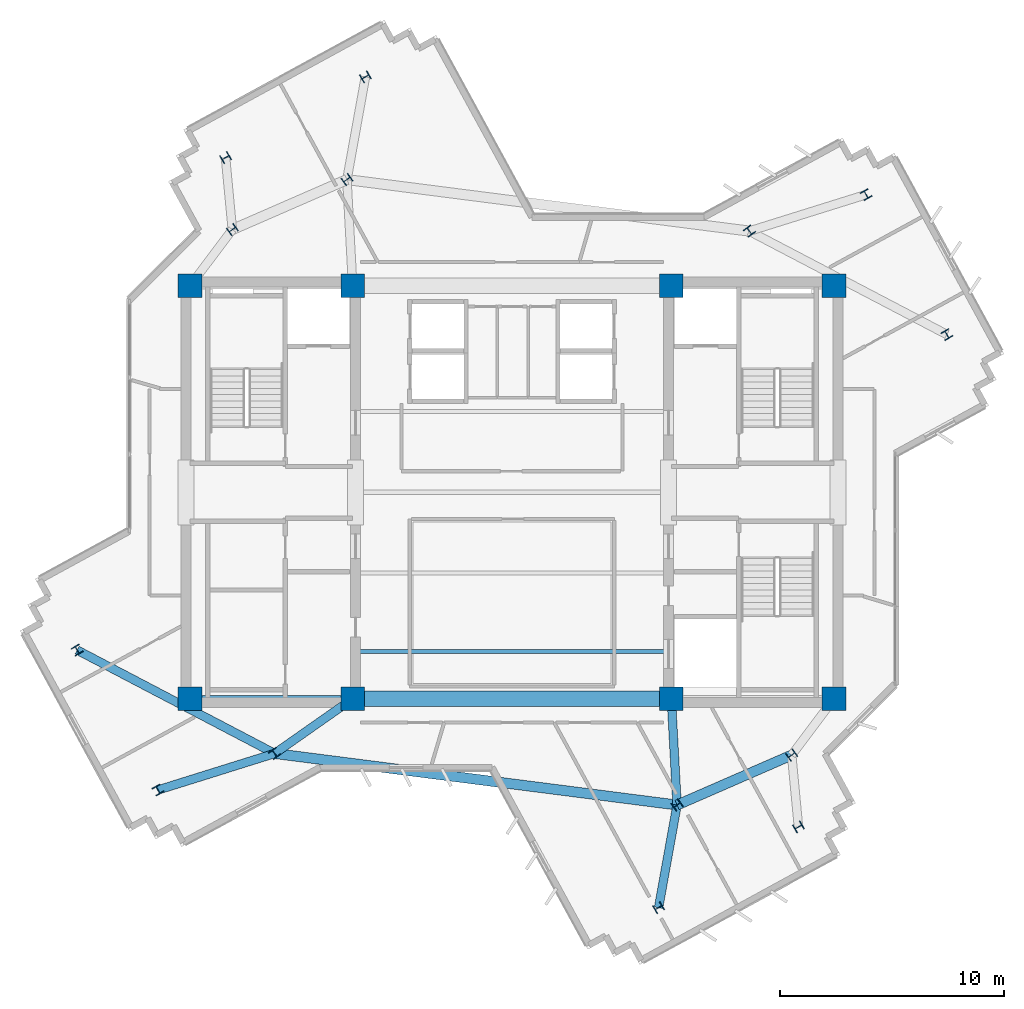
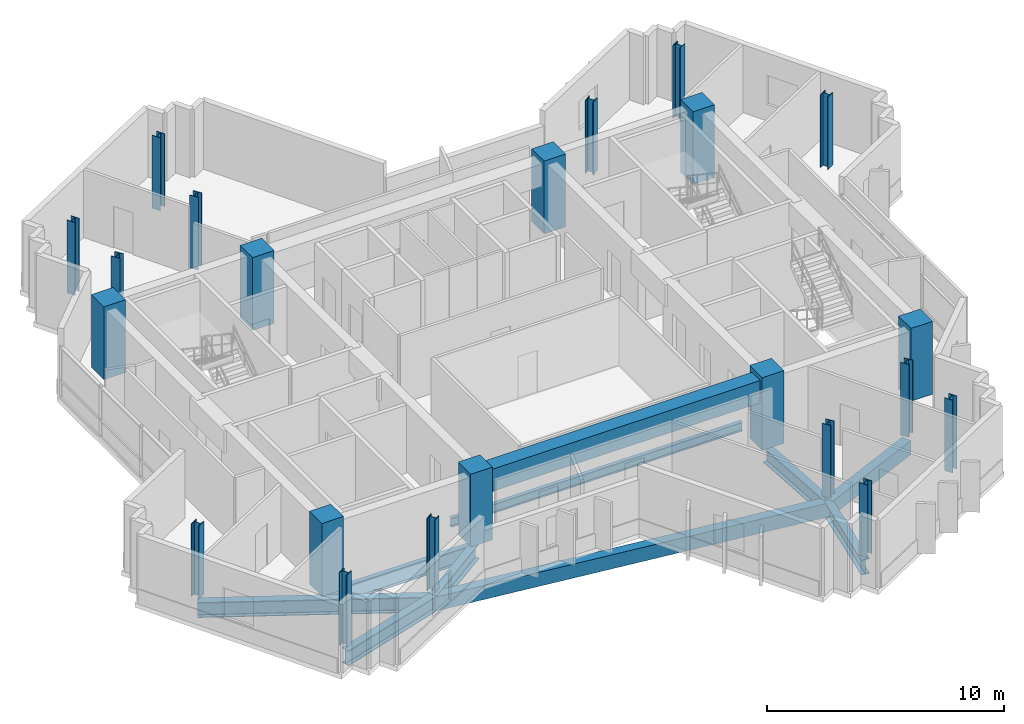
# One storey, part 1 of 13: 22 columns, 10 beams.
"""IFC4 building model written with IfcOpenShell, lengths in metres."""

from ifc_helpers import new_model, si_unit, direction, frame, origin, origin_2d, place, context, subcontext, project, spatial, rectangle, i_section, extrude, source, transform, mapped, material, material_profile, profile_set, type_object, element, save


model = new_model("IFC4")

# Units and contexts
model_context = context("Model", 3, precision=1e-05, world=origin(), true_north=direction((0.0, 1.0)))
body_context = subcontext(model_context, "Body", "Model", "MODEL_VIEW")
ifc_project = project(units=[si_unit("LENGTHUNIT", "METRE"), si_unit("AREAUNIT", "SQUARE_METRE"), si_unit("VOLUMEUNIT", "CUBIC_METRE"), si_unit("PLANEANGLEUNIT", "RADIAN"), si_unit("MASSUNIT", "GRAM", prefix="KILO")], contexts=[model_context])

# Site, building, storey
site_placement = place(None, origin())
site = spatial("IfcSite", under=ifc_project, at=site_placement, CompositionType="ELEMENT")
building_placement = place(site_placement, origin())
building = spatial("IfcBuilding", under=site, at=building_placement, Name="Zahravan Cultural Tower", CompositionType="ELEMENT")
storey_placement = place(building_placement, frame((0.0, 0.0, 254.10009765625)))
storey = spatial("IfcBuildingStorey", under=building, at=storey_placement, Name="L60", CompositionType="ELEMENT", Elevation=254.10009765625)

# Columns
ifc_material_1 = material(Name="Concrete C50/60", Category="concrete")
ifc_material_profile_1 = material_profile(ifc_material_1, rectangle(XDim=1.050048828125, YDim=1.050048828125, at=origin_2d()), Name="RC1050X1050")
ifc_profile_set_1 = profile_set([ifc_material_profile_1], Name="Concrete C50/60")
column_type_1 = type_object("IfcColumnType", Name="COL-RC1050", PredefinedType="COLUMN", material=ifc_profile_set_1)
shared_shape_1 = source(origin(), body_context, "Body", "SweptSolid", [
    extrude(rectangle(XDim=1.050048828125, YDim=1.050048828125, at=origin_2d()), origin(), (0.0, 0.0, 1.0), 3.75),
])
for number, where, z_axis, x_axis, name in (
    (1, (21.64990234375, 17.800048828125, 0.0), (0.0, 0.0, 1.0), (1.0, 0.0, 0.0), "L60 Column CC-W1"),
    (2, (28.89990234375, 17.800048828125, 0.0), (0.0, 0.0, 1.0), (1.0, 0.0, 0.0), "L60 Column CC-W2"),
    (3, (21.64990234375, 36.199951171875, 0.0), (0.0, 0.0, 1.0), (1.0, 0.0, 0.0), "L60 Column CC-W3"),
    (4, (28.89990234375, 36.199951171875, 0.0), (0.0, 0.0, 1.0), (1.0, 0.0, 0.0), "L60 Column CC-W4"),
    (5, (43.10009765625, 17.800048828125, 0.0), (0.0, 0.0, 1.0), (1.0, 0.0, 0.0), "L60 Column CC-E1"),
    (6, (50.35009765625, 17.800048828125, 0.0), (0.0, 0.0, 1.0), (1.0, 0.0, 0.0), "L60 Column CC-E2"),
    (7, (43.10009765625, 36.199951171875, 0.0), (0.0, 0.0, 1.0), (1.0, 0.0, 0.0), "L60 Column CC-E3"),
    (8, (50.35009765625, 36.199951171875, 0.0), (0.0, 0.0, 1.0), (1.0, 0.0, 0.0), "L60 Column CC-E4"),
):
    element("IfcColumn", number, at=place(storey_placement, frame(where, z_axis=z_axis, x_axis=x_axis)), inside=storey, type_object=column_type_1, Name=name, PredefinedType="COLUMN", context=body_context, shape_type="MappedRepresentation", body=[
        mapped(shared_shape_1, transform((0.0, 0.0, 0.0), x_axis=(1.0, 0.0, 0.0), y_axis=(0.0, 1.0, 0.0), z_axis=(0.0, 0.0, 1.0), scale=1.0)),
    ])
ifc_material_2 = material(Name="Steel ASTM A992 Grade 50", Category="steel")
ifc_material_profile_2 = material_profile(ifc_material_2, i_section(OverallWidth=0.39892578125, OverallDepth=0.385986328125, WebThickness=0.02099609375, FlangeThickness=0.033203125, FilletRadius=0.01806640625, at=origin_2d()), Name="W14X176")
ifc_profile_set_2 = profile_set([ifc_material_profile_2], Name="Steel ASTM A992 Grade 50")
column_type_2 = type_object("IfcColumnType", Name="COL-W14X176", PredefinedType="COLUMN", material=ifc_profile_set_2)
shared_shape_2 = source(origin(), body_context, "Body", "SweptSolid", [
    extrude(i_section(OverallWidth=0.39892578125, OverallDepth=0.385986328125, WebThickness=0.02099609375, FlangeThickness=0.033203125, FilletRadius=0.01806640625, at=origin_2d()), origin(), (0.0, 0.0, 1.0), 3.75),
])
for number, where, z_axis, x_axis, name in (
    (9, (46.577880859375, 38.640625, 0.0), (0.0, 0.0, 1.0), (0.809016994375, 0.587785252292, 0.0), "L60 Column Z3C-E2"),
    (10, (28.642578125, 40.937255859375, 0.0), (0.0, 0.0, 1.0), (-0.587785252292, 0.809016994375, 0.0), "L60 Column Z3C-N1"),
    (11, (23.536376953125, 38.710693359375, 0.0), (0.0, 0.0, 1.0), (-0.587785252292, 0.809016994375, 0.0), "L60 Column Z3C-N2"),
    (12, (25.422119140625, 15.359375, 0.0), (0.0, 0.0, 1.0), (0.809016994375, 0.587785252292, 0.0), "L60 Column Z3C-W2"),
    (13, (43.357421875, 13.062744140625, 0.0), (0.0, 0.0, 1.0), (-0.587785252292, 0.809016994375, 0.0), "L60 Column Z3C-S1"),
    (14, (48.463623046875, 15.289306640625, 0.0), (0.0, 0.0, 1.0), (-0.587785252292, 0.809016994375, 0.0), "L60 Column Z3C-S2"),
    (15, (55.38037109375, 34.0322265625, 0.0), (0.0, 0.0, 1.0), (0.866025403784, 0.5, 0.0), "L60 Column Z3T-E1"),
    (16, (51.7802734375, 40.267578125, 0.0), (0.0, 0.0, 1.0), (0.866025403784, 0.5, 0.0), "L60 Column Z3T-E2"),
    (17, (29.4677734375, 45.514404296875, 0.0), (0.0, 0.0, 1.0), (-0.5, 0.866025403784, 0.0), "L60 Column Z3T-N1"),
    (18, (23.232421875, 41.914306640625, 0.0), (0.0, 0.0, 1.0), (-0.5, 0.866025403784, 0.0), "L60 Column Z3T-N2"),
    (19, (16.61962890625, 19.9677734375, 0.0), (0.0, 0.0, 1.0), (0.866025403784, 0.5, 0.0), "L60 Column Z3T-W1"),
    (20, (20.2197265625, 13.732421875, 0.0), (0.0, 0.0, 1.0), (0.866025403784, 0.5, 0.0), "L60 Column Z3T-W2"),
    (21, (42.5322265625, 8.485595703125, 0.0), (0.0, 0.0, 1.0), (-0.5, 0.866025403784, 0.0), "L60 Column Z3T-S1"),
    (22, (48.767578125, 12.085693359375, 0.0), (0.0, 0.0, 1.0), (-0.5, 0.866025403784, 0.0), "L60 Column Z3T-S2"),
):
    element("IfcColumn", number, at=place(storey_placement, frame(where, z_axis=z_axis, x_axis=x_axis)), inside=storey, type_object=column_type_2, Name=name, PredefinedType="COLUMN", context=body_context, shape_type="MappedRepresentation", body=[
        mapped(shared_shape_2, transform((0.0, 0.0, 0.0), x_axis=(1.0, 0.0, 0.0), y_axis=(0.0, 1.0, 0.0), z_axis=(0.0, 0.0, 1.0), scale=1.0)),
    ])

# Beams
ifc_material_profile_3 = material_profile(ifc_material_1, rectangle(XDim=0.699951171875, YDim=1.14990234375, at=origin_2d()), Name="RC700X1150")
ifc_profile_set_3 = profile_set([ifc_material_profile_3], Name="Concrete C50/60")
beam_type_1 = type_object("IfcBeamType", Name="BM-LN-RC700X1150", PredefinedType="LINTEL", material=ifc_profile_set_3)
shared_shape_3 = source(origin(), body_context, "Body", "SweptSolid", [
    extrude(rectangle(XDim=0.699951171875, YDim=1.14990234375, at=origin_2d()), origin(), (0.0, 0.0, 1.0), 14.2001953125),
])
beam_1_placement = place(storey_placement, frame((28.89990234375, 17.800048828125, 2.9248046875), z_axis=(1.0, 0.0, 0.0), x_axis=(0.0, 1.0, 0.0)))
element("IfcBeam", 23, at=beam_1_placement, inside=storey, type_object=beam_type_1, Name="L60 Beam LN-L60-S", PredefinedType="LINTEL", context=body_context, shape_type="MappedRepresentation", body=[
    mapped(shared_shape_3, transform((0.0, 0.0, 0.0), x_axis=(1.0, 0.0, 0.0), y_axis=(0.0, 1.0, 0.0), z_axis=(0.0, 0.0, 1.0), scale=1.0)),
])
ifc_material_profile_4 = material_profile(ifc_material_2, i_section(OverallWidth=0.26611328125, OverallDepth=0.780029296875, WebThickness=0.0166015625, FlangeThickness=0.030029296875, FilletRadius=0.01904296875, at=origin_2d()), Name="W30X148")
ifc_profile_set_4 = profile_set([ifc_material_profile_4], Name="Steel ASTM A992 Grade 50")
beam_type_2 = type_object("IfcBeamType", Name="BM-G-W30X148", PredefinedType="BEAM", material=ifc_profile_set_4)
shared_shape_4 = source(origin(), body_context, "Body", "SweptSolid", [
    extrude(i_section(OverallWidth=0.26611328125, OverallDepth=0.780029296875, WebThickness=0.0166015625, FlangeThickness=0.030029296875, FilletRadius=0.01904296875, at=origin_2d()), origin(), (0.0, 0.0, 1.0), 7.25),
])
beam_2_placement = place(storey_placement, frame((21.64990234375, 17.800048828125, -0.64013671875), z_axis=(1.0, 0.0, 0.0), x_axis=(0.0, 1.0, 0.0)))
element("IfcBeam", 24, at=beam_2_placement, inside=storey, type_object=beam_type_2, Name="L60 Beam BG-L60-01", PredefinedType="BEAM", context=body_context, shape_type="MappedRepresentation", body=[
    mapped(shared_shape_4, transform((0.0, 0.0, 0.0), x_axis=(1.0, 0.0, 0.0), y_axis=(0.0, 1.0, 0.0), z_axis=(0.0, 0.0, 1.0), scale=1.0)),
])
ifc_material_3 = material(Name="Concrete C45/55", Category="concrete")
ifc_material_profile_5 = material_profile(ifc_material_3, rectangle(XDim=0.449951171875, YDim=0.719970703125, at=origin_2d()), Name="RC450X720")
ifc_profile_set_5 = profile_set([ifc_material_profile_5], Name="Concrete C45/55")
beam_type_3 = type_object("IfcBeamType", Name="BM-SP-RC450X720", PredefinedType="SPANDREL", material=ifc_profile_set_5)
shared_shape_5 = source(origin(), body_context, "Body", "SweptSolid", [
    extrude(rectangle(XDim=0.449951171875, YDim=0.719970703125, at=origin_2d()), origin(), (0.0, 0.0, 1.0), 18.081787109375),
])
beam_3_placement = place(storey_placement, frame((25.422119140625, 15.359375, -0.610107421875), z_axis=(0.991900954377, -0.127013765812, 0.0), x_axis=(0.127013765812, 0.991900954377, 0.0)))
element("IfcBeam", 25, at=beam_3_placement, inside=storey, type_object=beam_type_3, Name="L60 Beam SP-L60-20", PredefinedType="SPANDREL", context=body_context, shape_type="MappedRepresentation", body=[
    mapped(shared_shape_5, transform((0.0, 0.0, 0.0), x_axis=(1.0, 0.0, 0.0), y_axis=(0.0, 1.0, 0.0), z_axis=(0.0, 0.0, 1.0), scale=1.0)),
])
shared_shape_6 = source(origin(), body_context, "Body", "SweptSolid", [
    extrude(rectangle(XDim=0.449951171875, YDim=0.719970703125, at=origin_2d()), origin(), (0.0, 0.0, 1.0), 5.570556640625),
])
beam_4_placement = place(storey_placement, frame((43.357421875, 13.062744140625, -0.610107421875), z_axis=(0.9166445026, 0.399703459896, 0.0), x_axis=(-0.399703459896, 0.9166445026, 0.0)))
element("IfcBeam", 26, at=beam_4_placement, inside=storey, type_object=beam_type_3, Name="L60 Beam SP-L60-21", PredefinedType="SPANDREL", context=body_context, shape_type="MappedRepresentation", body=[
    mapped(shared_shape_6, transform((0.0, 0.0, 0.0), x_axis=(1.0, 0.0, 0.0), y_axis=(0.0, 1.0, 0.0), z_axis=(0.0, 0.0, 1.0), scale=1.0)),
])
ifc_material_profile_6 = material_profile(ifc_material_2, i_section(OverallWidth=0.18994140625, OverallDepth=0.45703125, WebThickness=0.009033203125, FlangeThickness=0.014404296875, FilletRadius=0.012939453125, at=origin_2d()), Name="W18X50")
ifc_profile_set_6 = profile_set([ifc_material_profile_6], Name="Steel ASTM A992 Grade 50")
beam_type_4 = type_object("IfcBeamType", Name="BM-J-W18X50", PredefinedType="JOIST", material=ifc_profile_set_6)
shared_shape_7 = source(origin(), body_context, "Body", "SweptSolid", [
    extrude(i_section(OverallWidth=0.18994140625, OverallDepth=0.45703125, WebThickness=0.009033203125, FlangeThickness=0.014404296875, FilletRadius=0.012939453125, at=origin_2d()), origin(), (0.0, 0.0, 1.0), 14.2001953125),
])
beam_5_placement = place(storey_placement, frame((28.89990234375, 19.89990234375, -0.478515625), z_axis=(1.0, 0.0, 0.0), x_axis=(0.0, 1.0, 0.0)))
element("IfcBeam", 27, at=beam_5_placement, inside=storey, type_object=beam_type_4, Name="L60 Beam BJ-L60-24", PredefinedType="JOIST", context=body_context, shape_type="MappedRepresentation", body=[
    mapped(shared_shape_7, transform((0.0, 0.0, 0.0), x_axis=(1.0, 0.0, 0.0), y_axis=(0.0, 1.0, 0.0), z_axis=(0.0, 0.0, 1.0), scale=1.0)),
])
ifc_material_profile_7 = material_profile(ifc_material_2, i_section(OverallWidth=0.382080078125, OverallDepth=0.779052734375, WebThickness=0.01806640625, FlangeThickness=0.030029296875, FilletRadius=0.01904296875, at=origin_2d()), Name="W30X191")
ifc_profile_set_7 = profile_set([ifc_material_profile_7], Name="Steel ASTM A992 Grade 50")
beam_type_5 = type_object("IfcBeamType", Name="BM-G-W30X191", PredefinedType="BEAM", material=ifc_profile_set_7)
shared_shape_8 = source(origin(), body_context, "Body", "SweptSolid", [
    extrude(i_section(OverallWidth=0.382080078125, OverallDepth=0.779052734375, WebThickness=0.01806640625, FlangeThickness=0.030029296875, FilletRadius=0.01904296875, at=origin_2d()), origin(), (0.0, 0.0, 1.0), 4.248779296875),
])
beam_6_placement = place(storey_placement, frame((28.89990234375, 17.800048828125, -0.6396484375), z_axis=(-0.81854294596, -0.574445337365, 0.0), x_axis=(0.574445337365, -0.81854294596, 0.0)))
element("IfcBeam", 28, at=beam_6_placement, inside=storey, type_object=beam_type_5, Name="L60 Beam BG-L60-07", PredefinedType="BEAM", context=body_context, shape_type="MappedRepresentation", body=[
    mapped(shared_shape_8, transform((0.0, 0.0, 0.0), x_axis=(1.0, 0.0, 0.0), y_axis=(0.0, 1.0, 0.0), z_axis=(0.0, 0.0, 1.0), scale=1.0)),
])
shared_shape_9 = source(origin(), body_context, "Body", "SweptSolid", [
    extrude(i_section(OverallWidth=0.382080078125, OverallDepth=0.779052734375, WebThickness=0.01806640625, FlangeThickness=0.030029296875, FilletRadius=0.01904296875, at=origin_2d()), origin(), (0.0, 0.0, 1.0), 4.744384765625),
])
beam_7_placement = place(storey_placement, frame((43.10009765625, 17.800048828125, -0.6396484375), z_axis=(0.054238739845, -0.998527996152, 0.0), x_axis=(0.998527996152, 0.054238739845, 0.0)))
element("IfcBeam", 29, at=beam_7_placement, inside=storey, type_object=beam_type_5, Name="L60 Beam BG-L60-08", PredefinedType="BEAM", context=body_context, shape_type="MappedRepresentation", body=[
    mapped(shared_shape_9, transform((0.0, 0.0, 0.0), x_axis=(1.0, 0.0, 0.0), y_axis=(0.0, 1.0, 0.0), z_axis=(0.0, 0.0, 1.0), scale=1.0)),
])
shared_shape_10 = source(origin(), body_context, "Body", "SweptSolid", [
    extrude(i_section(OverallWidth=0.382080078125, OverallDepth=0.779052734375, WebThickness=0.01806640625, FlangeThickness=0.030029296875, FilletRadius=0.01904296875, at=origin_2d()), origin(), (0.0, 0.0, 1.0), 9.935791015625),
])
beam_8_placement = place(storey_placement, frame((25.422119140625, 15.359375, -0.6396484375), z_axis=(-0.885932031042, 0.463815088558, 0.0), x_axis=(-0.463815088558, -0.885932031042, 0.0)))
element("IfcBeam", 30, at=beam_8_placement, inside=storey, type_object=beam_type_5, Name="L60 Beam BG-L60-16", PredefinedType="BEAM", context=body_context, shape_type="MappedRepresentation", body=[
    mapped(shared_shape_10, transform((0.0, 0.0, 0.0), x_axis=(1.0, 0.0, 0.0), y_axis=(0.0, 1.0, 0.0), z_axis=(0.0, 0.0, 1.0), scale=1.0)),
])
shared_shape_11 = source(origin(), body_context, "Body", "SweptSolid", [
    extrude(i_section(OverallWidth=0.382080078125, OverallDepth=0.779052734375, WebThickness=0.01806640625, FlangeThickness=0.030029296875, FilletRadius=0.01904296875, at=origin_2d()), origin(), (0.0, 0.0, 1.0), 5.450927734375),
])
beam_9_placement = place(storey_placement, frame((25.422119140625, 15.359375, -0.6396484375), z_axis=(-0.954416996605, -0.298476459025, 0.0), x_axis=(0.298476459025, -0.954416996605, 0.0)))
element("IfcBeam", 31, at=beam_9_placement, inside=storey, type_object=beam_type_5, Name="L60 Beam BG-L60-17", PredefinedType="BEAM", context=body_context, shape_type="MappedRepresentation", body=[
    mapped(shared_shape_11, transform((0.0, 0.0, 0.0), x_axis=(1.0, 0.0, 0.0), y_axis=(0.0, 1.0, 0.0), z_axis=(0.0, 0.0, 1.0), scale=1.0)),
])
shared_shape_12 = source(origin(), body_context, "Body", "SweptSolid", [
    extrude(i_section(OverallWidth=0.382080078125, OverallDepth=0.779052734375, WebThickness=0.01806640625, FlangeThickness=0.030029296875, FilletRadius=0.01904296875, at=origin_2d()), origin(), (0.0, 0.0, 1.0), 4.65087890625),
])
beam_10_placement = place(storey_placement, frame((43.357421875, 13.062744140625, -0.6396484375), z_axis=(-0.177425522697, -0.984134230629, 0.0), x_axis=(0.984134230629, -0.177425522697, 0.0)))
element("IfcBeam", 32, at=beam_10_placement, inside=storey, type_object=beam_type_5, Name="L60 Beam BG-L60-18", PredefinedType="BEAM", context=body_context, shape_type="MappedRepresentation", body=[
    mapped(shared_shape_12, transform((0.0, 0.0, 0.0), x_axis=(1.0, 0.0, 0.0), y_axis=(0.0, 1.0, 0.0), z_axis=(0.0, 0.0, 1.0), scale=1.0)),
])

save(model, "model.ifc")
